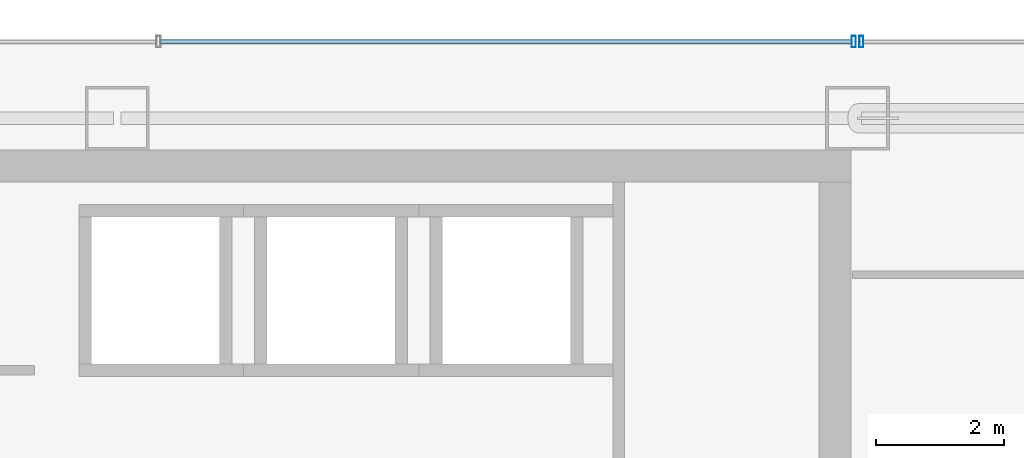
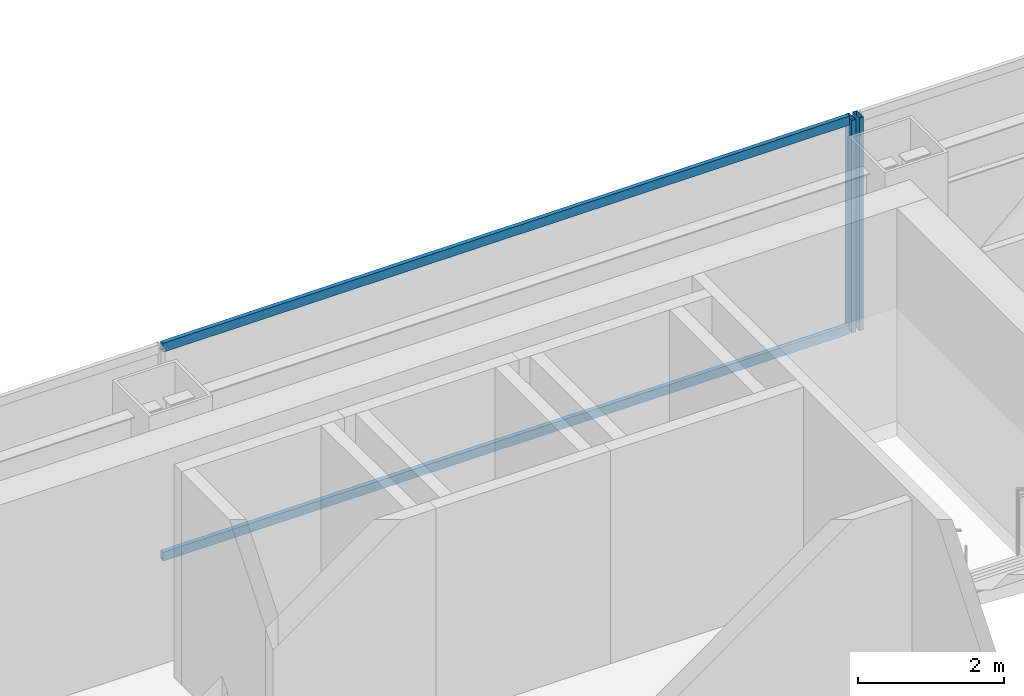
# One storey, part 27 of 36: 4 members, 2 elements without a shape of their own.
"""IFC4 building model written with IfcOpenShell, lengths in metres."""

import ifcopenshell
import ifcopenshell.guid

model = None  # the IFC model being written
_history = None  # IfcOwnerHistory: only IFC2X3 demands one
_inside = {}  # id of a spatial element -> (the spatial element, [elements in it])
_under = {}  # id of a project, library or spatial element -> (it, [spatial elements below it])
_declared = {}  # id of a project -> (the project, [libraries it declares])
_typed = {}  # id of a type object -> (the type object, [elements of that type])
_made_of = {}  # id of a material, layer set ... -> (it, [elements and type objects made of it])


def new_model(schema):
    """Start an empty IFC model of exactly this schema.

    Asked for "IFC4X3", IfcOpenShell would pick the latest addendum, in which some entities
    have other attributes; the version numbers below select the first issue.
    IFC2X3 requires an IfcOwnerHistory on every rooted entity: one is made here for all.
    """
    global model, _history
    if schema == "IFC4X3":
        model = ifcopenshell.file(schema_version=(4, 3, 0, 0))
    else:
        model = ifcopenshell.file(schema=schema)
    _inside.clear()
    _under.clear()
    _declared.clear()
    _typed.clear()
    _made_of.clear()
    _history = None
    if model.schema == "IFC2X3":
        org = make("IfcOrganization", Name="unknown")
        user = make(
            "IfcPersonAndOrganization",
            ThePerson=make("IfcPerson", FamilyName="unknown"),
            TheOrganization=org,
        )
        app = make(
            "IfcApplication",
            ApplicationDeveloper=org,
            Version="unknown",
            ApplicationFullName="unknown",
            ApplicationIdentifier="unknown",
        )
        _history = make(
            "IfcOwnerHistory",
            OwningUser=user,
            OwningApplication=app,
            ChangeAction="ADDED",
            CreationDate=0,
        )
    return model


def make(cls, **values):
    """One entity of the class cls with the attributes given. An attribute that is None is left unset."""
    return model.create_entity(
        cls, **{name: value for name, value in values.items() if value is not None}
    )


def rooted(cls, **values):
    """An entity with a GlobalId (a new one), such as an element, a storey or a relation."""
    return make(cls, GlobalId=ifcopenshell.guid.new(), OwnerHistory=_history, **values)


def si_unit(unit_type, name, prefix=None):
    """IfcSIUnit, for example si_unit("LENGTHUNIT", "METRE", prefix="MILLI")."""
    return make("IfcSIUnit", UnitType=unit_type, Prefix=prefix, Name=name)


def assignment(units):
    """IfcUnitAssignment: the units of a project."""
    return None if units is None else make("IfcUnitAssignment", Units=units)


def point(xyz):
    """IfcCartesianPoint."""
    return None if xyz is None else make("IfcCartesianPoint", Coordinates=xyz)


def direction(xyz):
    """IfcDirection."""
    return None if xyz is None else make("IfcDirection", DirectionRatios=xyz)


def frame(location, z_axis=None, x_axis=None):
    """IfcAxis2Placement3D, a coordinate frame: its origin and axes. An axis left out is left unset."""
    return make(
        "IfcAxis2Placement3D",
        Location=point(location),
        Axis=direction(z_axis),
        RefDirection=direction(x_axis),
    )


def frame_2d(location, x_axis=None):
    """IfcAxis2Placement2D, a coordinate frame in the plane: its origin and x axis."""
    return make(
        "IfcAxis2Placement2D", Location=point(location), RefDirection=direction(x_axis)
    )


def origin():
    """The frame at (0, 0, 0) with its axes left unset."""
    return frame((0.0, 0.0, 0.0))


def origin_2d():
    """The frame at (0, 0) in the plane with its x axis left unset."""
    return frame_2d((0.0, 0.0))


def place(relative_to, where):
    """IfcLocalPlacement: puts the frame where relative to a parent placement (None: the world)."""
    return make(
        "IfcLocalPlacement", PlacementRelTo=relative_to, RelativePlacement=where
    )


def context(
    kind, dimensions, precision=None, world=None, true_north=None, identifier=None
):
    """IfcGeometricRepresentationContext, for example the 3D "Model" context."""
    return make(
        "IfcGeometricRepresentationContext",
        ContextIdentifier=identifier,
        ContextType=kind,
        CoordinateSpaceDimension=dimensions,
        Precision=precision,
        WorldCoordinateSystem=world,
        TrueNorth=true_north,
    )


def subcontext(parent, identifier, kind, view, scale=None):
    """IfcGeometricRepresentationSubContext, for example "Body" below "Model"."""
    return make(
        "IfcGeometricRepresentationSubContext",
        ContextIdentifier=identifier,
        ContextType=kind,
        ParentContext=parent,
        TargetScale=scale,
        TargetView=view,
    )


def project(units=None, contexts=None):
    """IfcProject with its units and contexts."""
    return rooted(
        "IfcProject",
        Name="project",
        RepresentationContexts=contexts,
        UnitsInContext=assignment(units),
    )


def spatial(cls, under=None, at=None, **own):
    """A site, building, storey or space (cls), placed at a placement, below another one or the project."""
    s = rooted(cls, ObjectPlacement=at, **own)
    if under is not None:
        _under.setdefault(under.id(), (under, []))[1].append(s)
    return s


def profile(cls, at=None, kind="AREA", **sizes):
    """A parametric profile (cls). Its sizes go by their IFC names, for example OverallWidth=200.0."""
    return make(cls, ProfileType=kind, Position=at, **sizes)


def hollow_rectangle(**sizes):
    """IfcRectangleHollowProfileDef."""
    return profile("IfcRectangleHollowProfileDef", **sizes)


def extrude(swept, where, along, depth):
    """IfcExtrudedAreaSolid: the profile swept, set in the frame where, extruded along a direction by depth."""
    return make(
        "IfcExtrudedAreaSolid",
        SweptArea=swept,
        Position=where,
        ExtrudedDirection=direction(along),
        Depth=depth,
    )


def shape(context_of_items, identifier, shape_type, items):
    """IfcShapeRepresentation: the items that make up one representation, for example the "Body"."""
    return make(
        "IfcShapeRepresentation",
        ContextOfItems=context_of_items,
        RepresentationIdentifier=identifier,
        RepresentationType=shape_type,
        Items=items,
    )


def material(Name=None, Category=None):
    """IfcMaterial."""
    return make("IfcMaterial", Name=Name, Category=Category)


def material_profile(
    of_material, cross_section, Name=None, Category=None, Priority=None
):
    """IfcMaterialProfile: a cross section and its material."""
    return make(
        "IfcMaterialProfile",
        Name=Name,
        Material=of_material,
        Profile=cross_section,
        Priority=Priority,
        Category=Category,
    )


def profile_set(profiles, Name=None, composite=None):
    """IfcMaterialProfileSet."""
    return make(
        "IfcMaterialProfileSet",
        Name=Name,
        MaterialProfiles=profiles,
        CompositeProfile=composite,
    )


def made_of(thing, what):
    """Note that an element or type object is made of a material, layer set ...; save() writes the relation."""
    if what is not None:
        _made_of.setdefault(what.id(), (what, []))[1].append(thing)
    return thing


def type_object(cls, material=None, **own):
    """A type object (cls), such as IfcWallType, which elements share."""
    return made_of(rooted(cls, **own), material)


def element(
    cls,
    number,
    at=None,
    inside=None,
    cuts=None,
    type_object=None,
    material=None,
    context=None,
    identifier="Body",
    shape_type=None,
    held_by="IfcProductDefinitionShape",
    body=None,
    shapes=None,
    **own,
):
    """One element of the class cls, such as IfcWall. Its Tag is "e" and its number.

    at: its placement. inside: the storey or other place that contains it. cuts: it is an
    opening in that element (IfcRelVoidsElement). A single representation is given by context,
    identifier, shape_type and body (its items); several are given by shapes. held_by: the class
    of the entity that holds the representations. save() writes the other relations.
    """
    e = rooted(cls, Tag="e%d" % number, ObjectPlacement=at, **own)
    if body is not None:
        shapes = [shape(context, identifier, shape_type, body)]
    if shapes is not None:
        e.Representation = make(held_by, Representations=shapes)
    if inside is not None:
        _inside.setdefault(inside.id(), (inside, []))[1].append(e)
    if cuts is not None:
        rooted(
            "IfcRelVoidsElement", RelatingBuildingElement=cuts, RelatedOpeningElement=e
        )
    if type_object is not None:
        _typed.setdefault(type_object.id(), (type_object, []))[1].append(e)
    return made_of(e, material)


def aggregate(whole, parts):
    """IfcRelAggregates: a whole, such as a stair, and the parts it consists of."""
    return rooted("IfcRelAggregates", RelatingObject=whole, RelatedObjects=parts)


def save(model, path):
    """Write the relations noted so far, then the file.

    IfcRelAggregates (storeys below a building ...), IfcRelContainedInSpatialStructure (elements
    in a storey), IfcRelDefinesByType, IfcRelAssociatesMaterial and IfcRelDeclares: one each for
    every whole, place, type object, material and project.
    """
    for whole, parts in _under.values():
        aggregate(whole, parts)
    for where, things in _inside.values():
        rooted(
            "IfcRelContainedInSpatialStructure",
            RelatedElements=things,
            RelatingStructure=where,
        )
    for kind, things in _typed.values():
        rooted("IfcRelDefinesByType", RelatedObjects=things, RelatingType=kind)
    for what, things in _made_of.values():
        rooted("IfcRelAssociatesMaterial", RelatedObjects=things, RelatingMaterial=what)
    for by, libraries in _declared.values():
        rooted("IfcRelDeclares", RelatingContext=by, RelatedDefinitions=libraries)
    model.write(path)


model = new_model("IFC4")

# Units and contexts
model_context = context("Model", 3, precision=1e-05, world=origin(), true_north=direction((0.0, 1.0)))
body_context = subcontext(model_context, "Body", "Model", "MODEL_VIEW")
ifc_project = project(units=[si_unit("LENGTHUNIT", "METRE"), si_unit("AREAUNIT", "SQUARE_METRE"), si_unit("VOLUMEUNIT", "CUBIC_METRE"), si_unit("PLANEANGLEUNIT", "RADIAN"), si_unit("MASSUNIT", "GRAM", prefix="KILO")], contexts=[model_context])

# Site, building, storey
site_placement = place(None, origin())
site = spatial("IfcSite", under=ifc_project, at=site_placement, CompositionType="ELEMENT")
building_placement = place(site_placement, origin())
building = spatial("IfcBuilding", under=site, at=building_placement, Name="Saevonmaru Cultural Tower", CompositionType="ELEMENT")
storey_placement = place(building_placement, frame((0.0, 0.0, 148.60009765625)))
storey = spatial("IfcBuildingStorey", under=building, at=storey_placement, Name="L32", CompositionType="ELEMENT", Elevation=148.60009765625)

# Curtain wall, member
ifc_material = material(Name="Satin Bronze Anodised Aluminium", Category="aluminium")
curtain_wall_type = type_object("IfcCurtainWallType", Name="CW-TYP-A", PredefinedType="NOTDEFINED", material=ifc_material)
curtain_wall_1_placement = place(storey_placement, origin())
curtain_wall_1 = element("IfcCurtainWall", 1, at=curtain_wall_1_placement, inside=storey, type_object=curtain_wall_type, Name="L32 East Braced Bay Spandrel Curtain Wall E10A", PredefinedType="NOTDEFINED")
ifc_material_profile_1 = material_profile(ifc_material, hollow_rectangle(XDim=0.06494140625, YDim=0.179931640625, WallThickness=0.00390625, at=origin_2d()), Name="ALU-MULL-180x65x4")
ifc_profile_set_1 = profile_set([ifc_material_profile_1], Name="Satin Bronze Anodised Aluminium")
member_type_1 = type_object("IfcMemberType", Name="ML-CW-180x65", PredefinedType="MULLION", material=ifc_profile_set_1)
member_1_placement = place(storey_placement, frame((46.4599609375, 56.0, 0.0), z_axis=(0.0, 0.0, 1.0), x_axis=(-1.0, 0.0, 0.0)))
member_1 = element("IfcMember", 2, at=member_1_placement, type_object=member_type_1, Name="CW-TW-L32-E10A mullion 2", PredefinedType="MULLION", context=body_context, shape_type="SweptSolid", body=[
    extrude(hollow_rectangle(XDim=0.06494140625, YDim=0.179931640625, WallThickness=0.00390625, at=origin_2d()), origin(), (0.0, 0.0, 1.0), 3.5498046875),
])
aggregate(curtain_wall_1, [member_1])

# Curtain wall, members
curtain_wall_2_placement = place(storey_placement, origin())
curtain_wall_2 = element("IfcCurtainWall", 3, at=curtain_wall_2_placement, inside=storey, type_object=curtain_wall_type, Name="L32 North Spine Unitised Curtain Wall E10B", PredefinedType="NOTDEFINED")
member_2_placement = place(storey_placement, frame((46.340087890625, 56.0, 0.0), z_axis=(0.0, 0.0, 1.0), x_axis=(-1.0, 0.0, 0.0)))
member_2 = element("IfcMember", 4, at=member_2_placement, type_object=member_type_1, Name="CW-TW-L32-E10B mullion 1", PredefinedType="MULLION", context=body_context, shape_type="SweptSolid", body=[
    extrude(hollow_rectangle(XDim=0.06494140625, YDim=0.179931640625, WallThickness=0.00390625, at=origin_2d()), origin(), (0.0, 0.0, 1.0), 3.5498046875),
])
ifc_material_profile_2 = material_profile(ifc_material, hollow_rectangle(XDim=0.06494140625, YDim=0.14990234375, WallThickness=0.00390625, at=origin_2d()), Name="ALU-TRAN-150x65x4")
ifc_profile_set_2 = profile_set([ifc_material_profile_2], Name="Satin Bronze Anodised Aluminium")
member_type_2 = type_object("IfcMemberType", Name="TR-CW-150x65", PredefinedType="USERDEFINED", material=ifc_profile_set_2)
member_3_placement = place(storey_placement, frame((46.3076171875, 56.0, 0.032470703125), z_axis=(-1.0, 0.0, 0.0), x_axis=(0.0, -1.0, 0.0)))
member_3 = element("IfcMember", 5, at=member_3_placement, type_object=member_type_2, Name="CW-TW-L32-E10B transom 1.1", ObjectType="TRANSOM", PredefinedType="USERDEFINED", context=body_context, shape_type="SweptSolid", body=[
    extrude(hollow_rectangle(XDim=0.06494140625, YDim=0.14990234375, WallThickness=0.00390625, at=origin_2d()), origin(), (0.0, 0.0, 1.0), 10.828369140625),
])
member_4_placement = place(storey_placement, frame((46.3076171875, 56.0, 3.517333984375), z_axis=(-1.0, 0.0, 0.0), x_axis=(0.0, -1.0, 0.0)))
member_4 = element("IfcMember", 6, at=member_4_placement, type_object=member_type_2, Name="CW-TW-L32-E10B transom 1.2", ObjectType="TRANSOM", PredefinedType="USERDEFINED", context=body_context, shape_type="SweptSolid", body=[
    extrude(hollow_rectangle(XDim=0.06494140625, YDim=0.14990234375, WallThickness=0.00390625, at=origin_2d()), origin(), (0.0, 0.0, 1.0), 10.828369140625),
])
aggregate(curtain_wall_2, [member_2, member_3, member_4])

save(model, "model.ifc")
